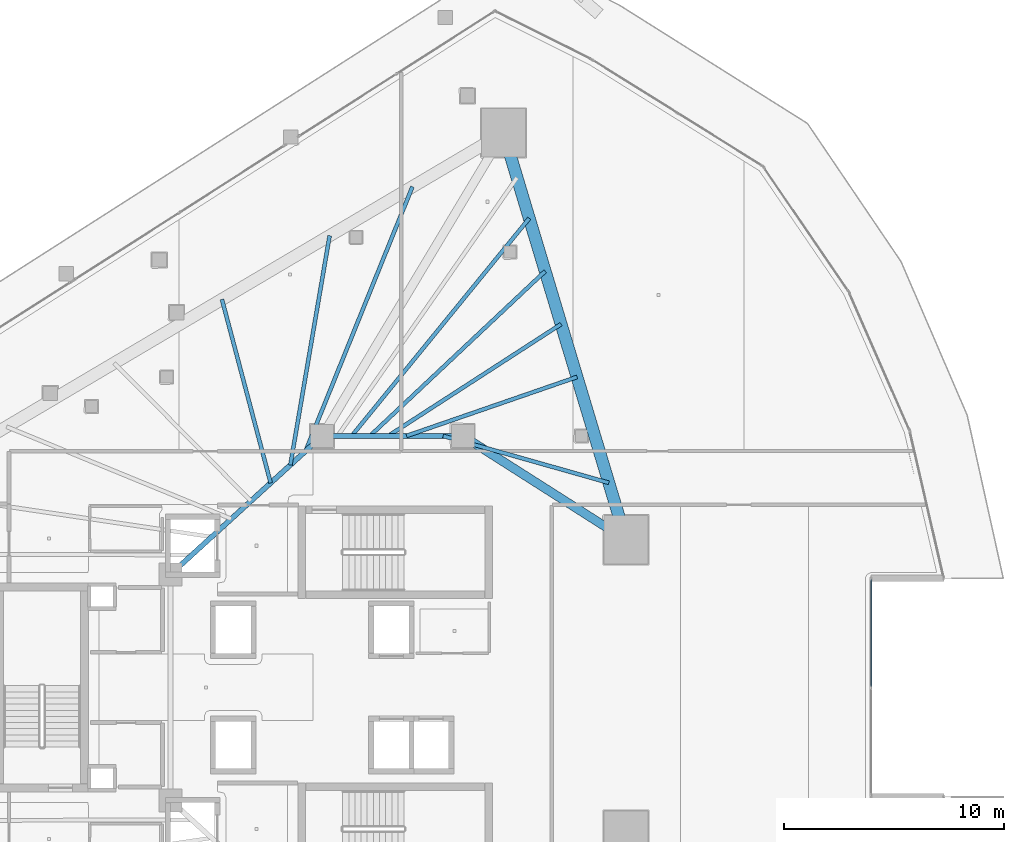
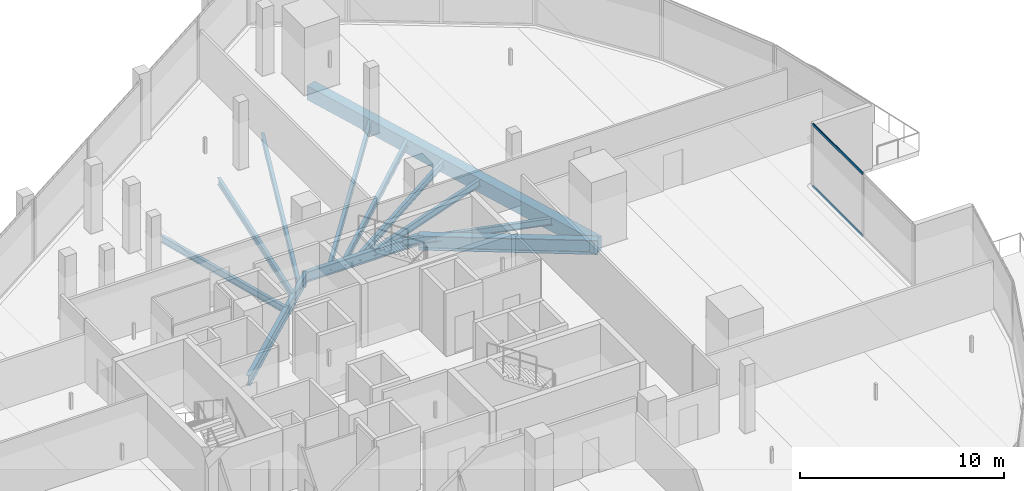
# One storey, part 18 of 42: 12 beams, 2 members, 1 element without a shape of its own.
"""IFC4 building model written with IfcOpenShell, lengths in metres."""

from ifc_helpers import new_model, si_unit, direction, frame, origin, origin_2d, place, context, subcontext, project, spatial, rectangle, hollow_rectangle, i_section, extrude, material, layer, layer_set, material_profile, profile_set, type_object, element, aggregate, save


model = new_model("IFC4")

# Units and contexts
model_context = context("Model", 3, precision=1e-05, world=origin(), true_north=direction((0.0, 1.0)))
body_context = subcontext(model_context, "Body", "Model", "MODEL_VIEW")
ifc_project = project(units=[si_unit("LENGTHUNIT", "METRE"), si_unit("AREAUNIT", "SQUARE_METRE"), si_unit("VOLUMEUNIT", "CUBIC_METRE"), si_unit("PLANEANGLEUNIT", "RADIAN"), si_unit("MASSUNIT", "GRAM", prefix="KILO")], contexts=[model_context])

# Site, building, storey
site_placement = place(None, origin())
site = spatial("IfcSite", under=ifc_project, at=site_placement, CompositionType="ELEMENT")
building_placement = place(site_placement, origin())
building = spatial("IfcBuilding", under=site, at=building_placement, Name="Qorvath Tower", CompositionType="ELEMENT")
storey_placement = place(building_placement, frame((0.0, 0.0, 117.89990234375)))
storey = spatial("IfcBuildingStorey", under=building, at=storey_placement, Name="L26", CompositionType="ELEMENT", Elevation=117.89990234375)

# Beams
ifc_material_1 = material(Name="Steel ASTM A992 Grade 50", Category="steel")
ifc_material_profile_1 = material_profile(ifc_material_1, i_section(OverallWidth=0.39892578125, OverallDepth=0.85498046875, WebThickness=0.018310546875, FlangeThickness=0.029296875, FilletRadius=0.02001953125, at=origin_2d()), Name="W33x201")
ifc_profile_set_1 = profile_set([ifc_material_profile_1], Name="Steel ASTM A992 Grade 50")
beam_type_1 = type_object("IfcBeamType", Name="BM-FG2", PredefinedType="BEAM", material=ifc_profile_set_1)
beam_1_placement = place(storey_placement, frame((-17.199951171875, 11.449951171875, -0.707275390625), z_axis=(0.843634090834, -0.536918542037, 0.0), x_axis=(0.536918542037, 0.843634090834, 0.0)))
element("IfcBeam", 1, at=beam_1_placement, inside=storey, type_object=beam_type_1, Name="Radial Floor Girder CC2-MC5 L26", PredefinedType="BEAM", context=body_context, shape_type="SweptSolid", body=[
    extrude(i_section(OverallWidth=0.39892578125, OverallDepth=0.85498046875, WebThickness=0.018310546875, FlangeThickness=0.029296875, FilletRadius=0.02001953125, at=origin_2d()), origin(), (0.0, 0.0, 1.0), 8.806884765625),
])
ifc_material_2 = material(Name="Steel ASTM A992 Grade 50", Category="steel")
ifc_material_profile_2 = material_profile(ifc_material_2, i_section(OverallWidth=0.22998046875, OverallDepth=0.616943359375, WebThickness=0.01318359375, FlangeThickness=0.022216796875, FilletRadius=0.014892578125, at=origin_2d()), Name="W24x94")
ifc_profile_set_2 = profile_set([ifc_material_profile_2], Name="Steel ASTM A992 Grade 50")
beam_type_2 = type_object("IfcBeamType", Name="BM-FG6", PredefinedType="BEAM", material=ifc_profile_set_2)
beam_2_placement = place(storey_placement, frame((-23.60009765625, 11.449951171875, -0.58837890625), z_axis=(1.0, 0.0, 0.0), x_axis=(0.0, 1.0, 0.0)))
element("IfcBeam", 2, at=beam_2_placement, inside=storey, type_object=beam_type_2, Name="Core Ring Girder CC1-CC2 L26", PredefinedType="BEAM", context=body_context, shape_type="SweptSolid", body=[
    extrude(i_section(OverallWidth=0.22998046875, OverallDepth=0.616943359375, WebThickness=0.01318359375, FlangeThickness=0.022216796875, FilletRadius=0.014892578125, at=origin_2d()), origin(), (0.0, 0.0, 1.0), 6.400146484375),
])
beam_3_placement = place(storey_placement, frame((-30.5, 5.14990234375, -0.58837890625), z_axis=(0.73847813985, 0.6742774184, 0.0), x_axis=(-0.6742774184, 0.73847813985, 0.0)))
element("IfcBeam", 3, at=beam_3_placement, inside=storey, type_object=beam_type_2, Name="Core Ring Girder CC5-CC1 L26", PredefinedType="BEAM", context=body_context, shape_type="SweptSolid", body=[
    extrude(i_section(OverallWidth=0.22998046875, OverallDepth=0.616943359375, WebThickness=0.01318359375, FlangeThickness=0.022216796875, FilletRadius=0.014892578125, at=origin_2d()), origin(), (0.0, 0.0, 1.0), 9.343505859375),
])
ifc_material_3 = material(Name="Steel ASTM A992 Grade 50", Category="steel")
ifc_material_profile_3 = material_profile(ifc_material_3, i_section(OverallWidth=0.177978515625, OverallDepth=0.406005859375, WebThickness=0.0078125, FlangeThickness=0.0126953125, FilletRadius=0.010986328125, at=origin_2d()), Name="W16x40")
ifc_profile_set_3 = profile_set([ifc_material_profile_3], Name="Steel ASTM A992 Grade 50")
beam_type_3 = type_object("IfcBeamType", Name="BM-FJ3", PredefinedType="JOIST", material=ifc_profile_set_3)
beam_4_placement = place(storey_placement, frame((-18.095947265625, 11.449951171875, -0.48291015625), z_axis=(0.962222206221, -0.272265359264, 0.0), x_axis=(0.272265359264, 0.962222206221, 0.0)))
element("IfcBeam", 4, at=beam_4_placement, inside=storey, type_object=beam_type_3, Name="Composite Floor Joist NE1 L26", PredefinedType="JOIST", context=body_context, shape_type="SweptSolid", body=[
    extrude(i_section(OverallWidth=0.177978515625, OverallDepth=0.406005859375, WebThickness=0.0078125, FlangeThickness=0.0126953125, FilletRadius=0.010986328125, at=origin_2d()), origin(), (0.0, 0.0, 1.0), 7.841552734375),
])
beam_5_placement = place(storey_placement, frame((-19.760009765625, 11.449951171875, -0.48291015625), z_axis=(0.945168345309, 0.326583525342, 0.0), x_axis=(-0.326583525342, 0.945168345309, 0.0)))
element("IfcBeam", 5, at=beam_5_placement, inside=storey, type_object=beam_type_3, Name="Composite Floor Joist NE3 L26", PredefinedType="JOIST", context=body_context, shape_type="SweptSolid", body=[
    extrude(i_section(OverallWidth=0.177978515625, OverallDepth=0.406005859375, WebThickness=0.0078125, FlangeThickness=0.0126953125, FilletRadius=0.010986328125, at=origin_2d()), origin(), (0.0, 0.0, 1.0), 8.21044921875),
])
beam_6_placement = place(storey_placement, frame((-20.592041015625, 11.449951171875, -0.48291015625), z_axis=(0.839630966809, 0.543157288062, 0.0), x_axis=(-0.543157288062, 0.839630966809, 0.0)))
element("IfcBeam", 6, at=beam_6_placement, inside=storey, type_object=beam_type_3, Name="Composite Floor Joist NE4 L26", PredefinedType="JOIST", context=body_context, shape_type="SweptSolid", body=[
    extrude(i_section(OverallWidth=0.177978515625, OverallDepth=0.406005859375, WebThickness=0.0078125, FlangeThickness=0.0126953125, FilletRadius=0.010986328125, at=origin_2d()), origin(), (0.0, 0.0, 1.0), 9.370361328125),
])
beam_7_placement = place(storey_placement, frame((-21.424072265625, 11.449951171875, -0.48291015625), z_axis=(0.728572459091, 0.684968737866, 0.0), x_axis=(-0.684968737866, 0.728572459091, 0.0)))
element("IfcBeam", 7, at=beam_7_placement, inside=storey, type_object=beam_type_3, Name="Composite Floor Joist NE5 L26", PredefinedType="JOIST", context=body_context, shape_type="SweptSolid", body=[
    extrude(i_section(OverallWidth=0.177978515625, OverallDepth=0.406005859375, WebThickness=0.0078125, FlangeThickness=0.0126953125, FilletRadius=0.010986328125, at=origin_2d()), origin(), (0.0, 0.0, 1.0), 10.9462890625),
])
beam_8_placement = place(storey_placement, frame((-22.256103515625, 11.449951171875, -0.48291015625), z_axis=(0.632187975212, 0.774815051478, 0.0), x_axis=(-0.774815051478, 0.632187975212, 0.0)))
element("IfcBeam", 8, at=beam_8_placement, inside=storey, type_object=beam_type_3, Name="Composite Floor Joist NE6 L26", PredefinedType="JOIST", context=body_context, shape_type="SweptSolid", body=[
    extrude(i_section(OverallWidth=0.177978515625, OverallDepth=0.406005859375, WebThickness=0.0078125, FlangeThickness=0.0126953125, FilletRadius=0.010986328125, at=origin_2d()), origin(), (0.0, 0.0, 1.0), 12.784912109375),
])
beam_9_placement = place(storey_placement, frame((-25.946044921875, 9.30810546875, -0.48291015625), z_axis=(-0.256507909517, 0.966542131702, 0.0), x_axis=(-0.966542131702, -0.256507909517, 0.0)))
element("IfcBeam", 9, at=beam_9_placement, inside=storey, type_object=beam_type_3, Name="Composite Floor Joist NW5 L26", PredefinedType="JOIST", context=body_context, shape_type="SweptSolid", body=[
    extrude(i_section(OverallWidth=0.177978515625, OverallDepth=0.406005859375, WebThickness=0.0078125, FlangeThickness=0.0126953125, FilletRadius=0.010986328125, at=origin_2d()), origin(), (0.0, 0.0, 1.0), 8.64697265625),
])
beam_10_placement = place(storey_placement, frame((-25.049072265625, 10.126953125, -0.48291015625), z_axis=(0.168745594245, 0.985659639238, 0.0), x_axis=(-0.985659639238, 0.168745594245, 0.0)))
element("IfcBeam", 10, at=beam_10_placement, inside=storey, type_object=beam_type_3, Name="Composite Floor Joist NW6 L26", PredefinedType="JOIST", context=body_context, shape_type="SweptSolid", body=[
    extrude(i_section(OverallWidth=0.177978515625, OverallDepth=0.406005859375, WebThickness=0.0078125, FlangeThickness=0.0126953125, FilletRadius=0.010986328125, at=origin_2d()), origin(), (0.0, 0.0, 1.0), 10.589111328125),
])
beam_11_placement = place(storey_placement, frame((-24.35888671875, 10.757080078125, -0.48291015625), z_axis=(0.37487652097, 0.927074751045, 0.0), x_axis=(-0.927074751045, 0.37487652097, 0.0)))
element("IfcBeam", 11, at=beam_11_placement, inside=storey, type_object=beam_type_3, Name="Composite Floor Joist NW7 L26", PredefinedType="JOIST", context=body_context, shape_type="SweptSolid", body=[
    extrude(i_section(OverallWidth=0.177978515625, OverallDepth=0.406005859375, WebThickness=0.0078125, FlangeThickness=0.0126953125, FilletRadius=0.010986328125, at=origin_2d()), origin(), (0.0, 0.0, 1.0), 12.9833984375),
])
ifc_material_4 = material(Name="Concrete C50/60", Category="concrete")
ifc_material_profile_4 = material_profile(ifc_material_4, rectangle(XDim=0.550048828125, YDim=0.85009765625, at=origin_2d()), Name="RCB 850x550")
ifc_profile_set_4 = profile_set([ifc_material_profile_4], Name="Concrete C50/60")
beam_type_4 = type_object("IfcBeamType", Name="BM-RCB2", PredefinedType="SPANDREL", material=ifc_profile_set_4)
beam_12_placement = place(storey_placement, frame((-9.770263671875, 6.721435546875, -0.704833984375), z_axis=(-0.288133952099, 0.957590113591, 0.0), x_axis=(-0.957590113591, -0.288133952099, 0.0)))
element("IfcBeam", 12, at=beam_12_placement, inside=storey, type_object=beam_type_4, Name="Perimeter Loggia Frame Beam MC5-MC6 L26", PredefinedType="SPANDREL", context=body_context, shape_type="SweptSolid", body=[
    extrude(rectangle(XDim=0.550048828125, YDim=0.85009765625, at=origin_2d()), origin(), (0.0, 0.0, 1.0), 19.344970703125),
])

# Curtain wall, members
ifc_material_5 = material(Name="Anodised aluminium and triple low-E glass", Category="aluminium")
ifc_layer = layer(ifc_material_5, 0.179931640625)
ifc_layer_set = layer_set([ifc_layer], Name="CW-SYS-2")
curtain_wall_type = type_object("IfcCurtainWallType", Name="CW-SYS-2", PredefinedType="NOTDEFINED", material=ifc_layer_set)
curtain_wall_placement = place(storey_placement, origin())
curtain_wall = element("IfcCurtainWall", 13, at=curtain_wall_placement, inside=storey, type_object=curtain_wall_type, Name="Curtain Wall CW-2 CW-T-L26-9.1", PredefinedType="NOTDEFINED")
ifc_material_6 = material(Name="Anodised aluminium 6063-T6", Category="aluminium")
ifc_material_profile_5 = material_profile(ifc_material_6, hollow_rectangle(XDim=0.06494140625, YDim=0.159912109375, WallThickness=0.00341796875, InnerFilletRadius=0.00341796875, OuterFilletRadius=0.007080078125, at=origin_2d()), Name="CWT 160x65")
ifc_profile_set_5 = profile_set([ifc_material_profile_5], Name="Anodised aluminium 6063-T6")
member_type = type_object("IfcMemberType", Name="CWT-160", PredefinedType="USERDEFINED", material=ifc_profile_set_5)
member_1_placement = place(storey_placement, frame((1.386962890625, 0.032470703125, 0.032470703125), z_axis=(0.0, 1.0, 0.0), x_axis=(-1.0, 0.0, 0.0)))
member_1 = element("IfcMember", 14, at=member_1_placement, type_object=member_type, Name="CW-2 transom 2.1", ObjectType="TRANSOM", PredefinedType="USERDEFINED", context=body_context, shape_type="SweptSolid", body=[
    extrude(hollow_rectangle(XDim=0.06494140625, YDim=0.159912109375, WallThickness=0.00341796875, InnerFilletRadius=0.00341796875, OuterFilletRadius=0.007080078125, at=origin_2d()), origin(), (0.0, 0.0, 1.0), 4.87060546875),
])
member_2_placement = place(storey_placement, frame((1.386962890625, 0.032470703125, 3.737548828125), z_axis=(0.0, 1.0, 0.0), x_axis=(-1.0, 0.0, 0.0)))
member_2 = element("IfcMember", 15, at=member_2_placement, type_object=member_type, Name="CW-2 transom 2.2", ObjectType="TRANSOM", PredefinedType="USERDEFINED", context=body_context, shape_type="SweptSolid", body=[
    extrude(hollow_rectangle(XDim=0.06494140625, YDim=0.159912109375, WallThickness=0.00341796875, InnerFilletRadius=0.00341796875, OuterFilletRadius=0.007080078125, at=origin_2d()), origin(), (0.0, 0.0, 1.0), 4.87060546875),
])
aggregate(curtain_wall, [member_1, member_2])

save(model, "model.ifc")
